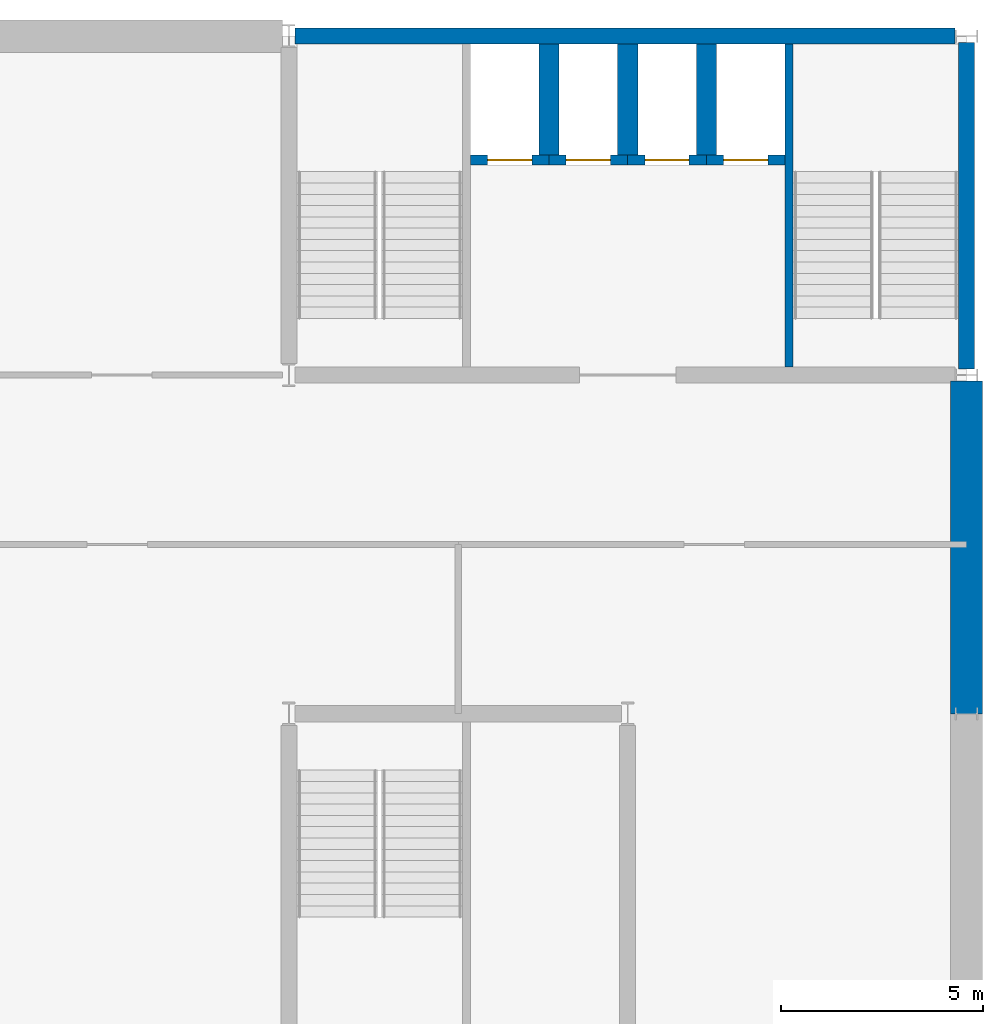
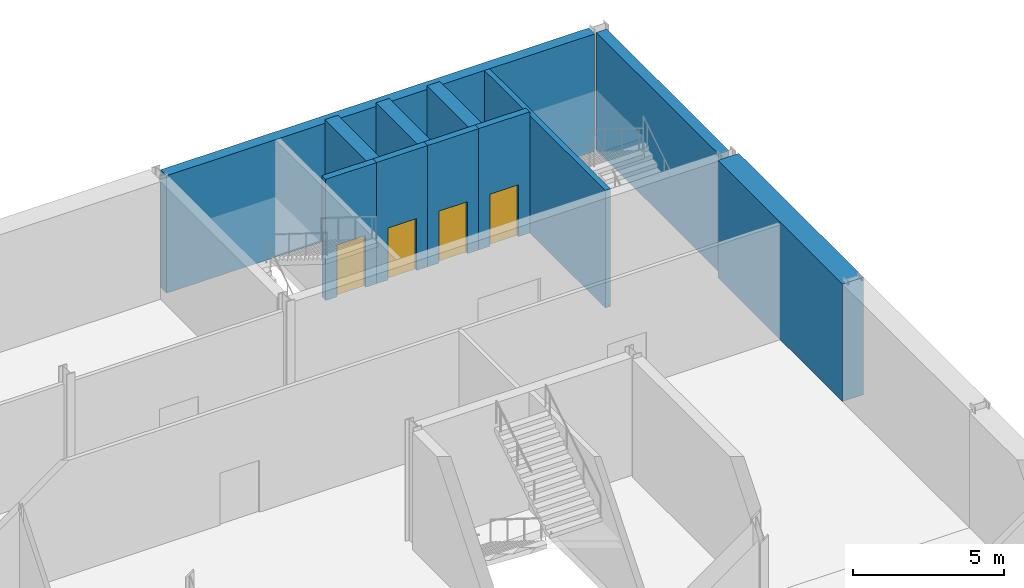
# One storey, part 17 of 20: 11 walls, 4 doors, 4 openings.
"""IFC4 building model written with IfcOpenShell, lengths in metres."""

import ifcopenshell
import ifcopenshell.guid

model = None  # the IFC model being written
_history = None  # IfcOwnerHistory: only IFC2X3 demands one
_inside = {}  # id of a spatial element -> (the spatial element, [elements in it])
_under = {}  # id of a project, library or spatial element -> (it, [spatial elements below it])
_declared = {}  # id of a project -> (the project, [libraries it declares])
_typed = {}  # id of a type object -> (the type object, [elements of that type])
_made_of = {}  # id of a material, layer set ... -> (it, [elements and type objects made of it])


def new_model(schema):
    """Start an empty IFC model of exactly this schema.

    Asked for "IFC4X3", IfcOpenShell would pick the latest addendum, in which some entities
    have other attributes; the version numbers below select the first issue.
    IFC2X3 requires an IfcOwnerHistory on every rooted entity: one is made here for all.
    """
    global model, _history
    if schema == "IFC4X3":
        model = ifcopenshell.file(schema_version=(4, 3, 0, 0))
    else:
        model = ifcopenshell.file(schema=schema)
    _inside.clear()
    _under.clear()
    _declared.clear()
    _typed.clear()
    _made_of.clear()
    _history = None
    if model.schema == "IFC2X3":
        org = make("IfcOrganization", Name="unknown")
        user = make(
            "IfcPersonAndOrganization",
            ThePerson=make("IfcPerson", FamilyName="unknown"),
            TheOrganization=org,
        )
        app = make(
            "IfcApplication",
            ApplicationDeveloper=org,
            Version="unknown",
            ApplicationFullName="unknown",
            ApplicationIdentifier="unknown",
        )
        _history = make(
            "IfcOwnerHistory",
            OwningUser=user,
            OwningApplication=app,
            ChangeAction="ADDED",
            CreationDate=0,
        )
    return model


def make(cls, **values):
    """One entity of the class cls with the attributes given. An attribute that is None is left unset."""
    return model.create_entity(
        cls, **{name: value for name, value in values.items() if value is not None}
    )


def rooted(cls, **values):
    """An entity with a GlobalId (a new one), such as an element, a storey or a relation."""
    return make(cls, GlobalId=ifcopenshell.guid.new(), OwnerHistory=_history, **values)


def si_unit(unit_type, name, prefix=None):
    """IfcSIUnit, for example si_unit("LENGTHUNIT", "METRE", prefix="MILLI")."""
    return make("IfcSIUnit", UnitType=unit_type, Prefix=prefix, Name=name)


def assignment(units):
    """IfcUnitAssignment: the units of a project."""
    return None if units is None else make("IfcUnitAssignment", Units=units)


def point(xyz):
    """IfcCartesianPoint."""
    return None if xyz is None else make("IfcCartesianPoint", Coordinates=xyz)


def direction(xyz):
    """IfcDirection."""
    return None if xyz is None else make("IfcDirection", DirectionRatios=xyz)


def frame(location, z_axis=None, x_axis=None):
    """IfcAxis2Placement3D, a coordinate frame: its origin and axes. An axis left out is left unset."""
    return make(
        "IfcAxis2Placement3D",
        Location=point(location),
        Axis=direction(z_axis),
        RefDirection=direction(x_axis),
    )


def frame_2d(location, x_axis=None):
    """IfcAxis2Placement2D, a coordinate frame in the plane: its origin and x axis."""
    return make(
        "IfcAxis2Placement2D", Location=point(location), RefDirection=direction(x_axis)
    )


def origin():
    """The frame at (0, 0, 0) with its axes left unset."""
    return frame((0.0, 0.0, 0.0))


def place(relative_to, where):
    """IfcLocalPlacement: puts the frame where relative to a parent placement (None: the world)."""
    return make(
        "IfcLocalPlacement", PlacementRelTo=relative_to, RelativePlacement=where
    )


def context(
    kind, dimensions, precision=None, world=None, true_north=None, identifier=None
):
    """IfcGeometricRepresentationContext, for example the 3D "Model" context."""
    return make(
        "IfcGeometricRepresentationContext",
        ContextIdentifier=identifier,
        ContextType=kind,
        CoordinateSpaceDimension=dimensions,
        Precision=precision,
        WorldCoordinateSystem=world,
        TrueNorth=true_north,
    )


def subcontext(parent, identifier, kind, view, scale=None):
    """IfcGeometricRepresentationSubContext, for example "Body" below "Model"."""
    return make(
        "IfcGeometricRepresentationSubContext",
        ContextIdentifier=identifier,
        ContextType=kind,
        ParentContext=parent,
        TargetScale=scale,
        TargetView=view,
    )


def project(units=None, contexts=None):
    """IfcProject with its units and contexts."""
    return rooted(
        "IfcProject",
        Name="project",
        RepresentationContexts=contexts,
        UnitsInContext=assignment(units),
    )


def spatial(cls, under=None, at=None, **own):
    """A site, building, storey or space (cls), placed at a placement, below another one or the project."""
    s = rooted(cls, ObjectPlacement=at, **own)
    if under is not None:
        _under.setdefault(under.id(), (under, []))[1].append(s)
    return s


def profile(cls, at=None, kind="AREA", **sizes):
    """A parametric profile (cls). Its sizes go by their IFC names, for example OverallWidth=200.0."""
    return make(cls, ProfileType=kind, Position=at, **sizes)


def rectangle(**sizes):
    """IfcRectangleProfileDef."""
    return profile("IfcRectangleProfileDef", **sizes)


def extrude(swept, where, along, depth):
    """IfcExtrudedAreaSolid: the profile swept, set in the frame where, extruded along a direction by depth."""
    return make(
        "IfcExtrudedAreaSolid",
        SweptArea=swept,
        Position=where,
        ExtrudedDirection=direction(along),
        Depth=depth,
    )


def shape(context_of_items, identifier, shape_type, items):
    """IfcShapeRepresentation: the items that make up one representation, for example the "Body"."""
    return make(
        "IfcShapeRepresentation",
        ContextOfItems=context_of_items,
        RepresentationIdentifier=identifier,
        RepresentationType=shape_type,
        Items=items,
    )


def material(Name=None, Category=None):
    """IfcMaterial."""
    return make("IfcMaterial", Name=Name, Category=Category)


def layer(
    of_material, thickness, ventilated=None, Name=None, Category=None, Priority=None
):
    """IfcMaterialLayer: one layer of a wall or slab, of a material (None: an air gap)."""
    return make(
        "IfcMaterialLayer",
        Material=of_material,
        LayerThickness=thickness,
        IsVentilated=ventilated,
        Name=Name,
        Category=Category,
        Priority=Priority,
    )


def layer_set(layers, Name=None):
    """IfcMaterialLayerSet."""
    return make("IfcMaterialLayerSet", MaterialLayers=layers, LayerSetName=Name)


def made_of(thing, what):
    """Note that an element or type object is made of a material, layer set ...; save() writes the relation."""
    if what is not None:
        _made_of.setdefault(what.id(), (what, []))[1].append(thing)
    return thing


def type_object(cls, material=None, **own):
    """A type object (cls), such as IfcWallType, which elements share."""
    return made_of(rooted(cls, **own), material)


def element(
    cls,
    number,
    at=None,
    inside=None,
    cuts=None,
    type_object=None,
    material=None,
    context=None,
    identifier="Body",
    shape_type=None,
    held_by="IfcProductDefinitionShape",
    body=None,
    shapes=None,
    **own,
):
    """One element of the class cls, such as IfcWall. Its Tag is "e" and its number.

    at: its placement. inside: the storey or other place that contains it. cuts: it is an
    opening in that element (IfcRelVoidsElement). A single representation is given by context,
    identifier, shape_type and body (its items); several are given by shapes. held_by: the class
    of the entity that holds the representations. save() writes the other relations.
    """
    e = rooted(cls, Tag="e%d" % number, ObjectPlacement=at, **own)
    if body is not None:
        shapes = [shape(context, identifier, shape_type, body)]
    if shapes is not None:
        e.Representation = make(held_by, Representations=shapes)
    if inside is not None:
        _inside.setdefault(inside.id(), (inside, []))[1].append(e)
    if cuts is not None:
        rooted(
            "IfcRelVoidsElement", RelatingBuildingElement=cuts, RelatedOpeningElement=e
        )
    if type_object is not None:
        _typed.setdefault(type_object.id(), (type_object, []))[1].append(e)
    return made_of(e, material)


def fill(opening, filler):
    """IfcRelFillsElement: the door or window that sits in an opening."""
    return rooted(
        "IfcRelFillsElement",
        RelatingOpeningElement=opening,
        RelatedBuildingElement=filler,
    )


def aggregate(whole, parts):
    """IfcRelAggregates: a whole, such as a stair, and the parts it consists of."""
    return rooted("IfcRelAggregates", RelatingObject=whole, RelatedObjects=parts)


def save(model, path):
    """Write the relations noted so far, then the file.

    IfcRelAggregates (storeys below a building ...), IfcRelContainedInSpatialStructure (elements
    in a storey), IfcRelDefinesByType, IfcRelAssociatesMaterial and IfcRelDeclares: one each for
    every whole, place, type object, material and project.
    """
    for whole, parts in _under.values():
        aggregate(whole, parts)
    for where, things in _inside.values():
        rooted(
            "IfcRelContainedInSpatialStructure",
            RelatedElements=things,
            RelatingStructure=where,
        )
    for kind, things in _typed.values():
        rooted("IfcRelDefinesByType", RelatedObjects=things, RelatingType=kind)
    for what, things in _made_of.values():
        rooted("IfcRelAssociatesMaterial", RelatedObjects=things, RelatingMaterial=what)
    for by, libraries in _declared.values():
        rooted("IfcRelDeclares", RelatingContext=by, RelatedDefinitions=libraries)
    model.write(path)


model = new_model("IFC4")

# Units and contexts
model_context = context("Model", 3, precision=1e-05, world=origin(), true_north=direction((0.0, 1.0)))
body_context = subcontext(model_context, "Body", "Model", "MODEL_VIEW")
ifc_project = project(units=[si_unit("LENGTHUNIT", "METRE"), si_unit("AREAUNIT", "SQUARE_METRE"), si_unit("VOLUMEUNIT", "CUBIC_METRE"), si_unit("PLANEANGLEUNIT", "RADIAN"), si_unit("MASSUNIT", "GRAM", prefix="KILO")], contexts=[model_context])

# Site, building, storey
site_placement = place(None, origin())
site = spatial("IfcSite", under=ifc_project, at=site_placement, CompositionType="ELEMENT")
building_placement = place(site_placement, origin())
building = spatial("IfcBuilding", under=site, at=building_placement, Name="Galleria Vessillo Department Store", CompositionType="ELEMENT")
storey_placement = place(building_placement, frame((0.0, 0.0, -4.89990234375)))
storey = spatial("IfcBuildingStorey", under=building, at=storey_placement, Name="B1", CompositionType="ELEMENT", Elevation=-4.89990234375)

# Walls
ifc_material_1 = material(Name="Concrete C32/40 reinforced", Category="concrete")
ifc_layer_1 = layer(ifc_material_1, 0.800048828125)
ifc_layer_set_1 = layer_set([ifc_layer_1], Name="Concrete C32/40 reinforced")
wall_type_1 = type_object("IfcWallType", Name="Diaphragm wall 800 mm", PredefinedType="SOLIDWALL", material=ifc_layer_set_1)
wall_1_placement = place(storey_placement, frame((117.60009765625, 46.199951171875, 0.0), z_axis=(0.0, 0.0, 1.0), x_axis=(0.0, 1.0, 0.0)))
element("IfcWall", 1, at=wall_1_placement, inside=storey, type_object=wall_type_1, Name="S-BW-E-B1-05", PredefinedType="SOLIDWALL", context=body_context, shape_type="SweptSolid", body=[
    extrude(rectangle(XDim=8.2470703125, YDim=0.800048828125, at=frame_2d((4.12353515625, 0.0))), origin(), (0.0, 0.0, 1.0), 4.75),
])
ifc_material_2 = material(Name="Solid clay block masonry", Category="masonry")
ifc_layer_2 = layer(ifc_material_2, 0.5)
ifc_layer_set_2 = layer_set([ifc_layer_2], Name="Solid clay block masonry")
wall_type_2 = type_object("IfcWallType", Name="Lift shaft partition wall 500 mm", PredefinedType="SOLIDWALL", material=ifc_layer_set_2)
for number, where, z_axis, x_axis, name in (
    (2, (107.25, 62.800048828125, 0.0), (0.0, 0.0, 1.0), (0.0, -1.0, 0.0), "Lift shaft partition wall T1 B1"),
    (3, (109.199951171875, 62.800048828125, 0.0), (0.0, 0.0, 1.0), (0.0, -1.0, 0.0), "Lift shaft partition wall T2 B1"),
    (4, (111.14990234375, 62.800048828125, 0.0), (0.0, 0.0, 1.0), (0.0, -1.0, 0.0), "Lift shaft partition wall T3 B1"),
):
    element("IfcWall", number, at=place(storey_placement, frame(where, z_axis=z_axis, x_axis=x_axis)), inside=storey, type_object=wall_type_2, Name=name, PredefinedType="SOLIDWALL", context=body_context, shape_type="SweptSolid", body=[
        extrude(rectangle(XDim=2.75, YDim=0.5, at=frame_2d((1.375, 0.0))), origin(), (0.0, 0.0, 1.0), 4.89990234375),
    ])

# Wall, opening, door
ifc_material_3 = material(Name="Solid clay block masonry", Category="masonry")
ifc_layer_3 = layer(ifc_material_3, 0.25)
ifc_layer_set_3 = layer_set([ifc_layer_3], Name="Solid clay block masonry")
wall_type_3 = type_object("IfcWallType", Name="Lift shaft wall 250 mm", PredefinedType="SOLIDWALL", material=ifc_layer_set_3)
wall_2_placement = place(storey_placement, frame((105.300048828125, 59.925048828125, 0.0), z_axis=(0.0, 0.0, 1.0), x_axis=(1.0, 0.0, 0.0)))
wall_2 = element("IfcWall", 5, at=wall_2_placement, inside=storey, type_object=wall_type_3, Name="Lift shaft wall T1 landing side B1", PredefinedType="SOLIDWALL", context=body_context, shape_type="SweptSolid", body=[
    extrude(rectangle(XDim=1.949951171875, YDim=0.25, at=frame_2d((0.97509765625, 0.0))), origin(), (0.0, 0.0, 1.0), 4.89990234375),
])
opening_1_placement = place(wall_2_placement, frame((0.4248046875, 0.0, 0.0)))
opening_1 = element("IfcOpeningElement", 6, at=opening_1_placement, cuts=wall_2, Name="Opening LD069", PredefinedType="OPENING", context=body_context, shape_type="SweptSolid", body=[
    extrude(rectangle(XDim=1.10009765625, YDim=2.10009765625, at=frame_2d((0.550048828125, 1.050048828125))), frame((0.0, 0.135009765625, 0.0), z_axis=(0.0, -1.0, 0.0), x_axis=(1.0, 0.0, 0.0)), (0.0, 0.0, 1.0), 0.27001953125),
])
ifc_material_4 = material(Name="Stainless steel lift door panel", Category="steel")
door_type = type_object("IfcDoorType", Name="Lift landing door LD110 sliding 1100 x 2100", OperationType="SLIDING_TO_LEFT", PredefinedType="DOOR", material=ifc_material_4)
door_1_placement = place(opening_1_placement, frame((1.10009765625, 0.0, 0.0), z_axis=(0.0, 0.0, 1.0), x_axis=(-1.0, 0.0, 0.0)))
door_1 = element("IfcDoor", 7, at=door_1_placement, inside=storey, type_object=door_type, Name="Lift landing door T1 B1", OperationType="SLIDING_TO_RIGHT", OverallHeight=2.10009765625, OverallWidth=1.10009765625, PredefinedType="DOOR", context=body_context, shape_type="SweptSolid", body=[
    extrude(rectangle(XDim=1.10009765625, YDim=2.10009765625, at=frame_2d((0.550048828125, 1.050048828125))), frame((0.0, 0.02490234375, 0.0), z_axis=(0.0, -1.0, 0.0), x_axis=(1.0, 0.0, 0.0)), (0.0, 0.0, 1.0), 0.050048828125),
])
fill(opening_1, door_1)

wall_3_placement = place(storey_placement, frame((107.25, 59.925048828125, 0.0), z_axis=(0.0, 0.0, 1.0), x_axis=(1.0, 0.0, 0.0)))
wall_3 = element("IfcWall", 8, at=wall_3_placement, inside=storey, type_object=wall_type_3, Name="Lift shaft wall T2 landing side B1", PredefinedType="SOLIDWALL", context=body_context, shape_type="SweptSolid", body=[
    extrude(rectangle(XDim=1.949951171875, YDim=0.25, at=frame_2d((0.97509765625, 0.0))), origin(), (0.0, 0.0, 1.0), 4.89990234375),
])
opening_2_placement = place(wall_3_placement, frame((0.425048828125, 0.0, 0.0)))
opening_2 = element("IfcOpeningElement", 9, at=opening_2_placement, cuts=wall_3, Name="Opening LD070", PredefinedType="OPENING", context=body_context, shape_type="SweptSolid", body=[
    extrude(rectangle(XDim=1.10009765625, YDim=2.10009765625, at=frame_2d((0.550048828125, 1.050048828125))), frame((0.0, 0.135009765625, 0.0), z_axis=(0.0, -1.0, 0.0), x_axis=(1.0, 0.0, 0.0)), (0.0, 0.0, 1.0), 0.27001953125),
])
door_2_placement = place(opening_2_placement, frame((1.10009765625, 0.0, 0.0), z_axis=(0.0, 0.0, 1.0), x_axis=(-1.0, 0.0, 0.0)))
door_2 = element("IfcDoor", 10, at=door_2_placement, inside=storey, type_object=door_type, Name="Lift landing door T2 B1", OperationType="SLIDING_TO_RIGHT", OverallHeight=2.10009765625, OverallWidth=1.10009765625, PredefinedType="DOOR", context=body_context, shape_type="SweptSolid", body=[
    extrude(rectangle(XDim=1.10009765625, YDim=2.10009765625, at=frame_2d((0.550048828125, 1.050048828125))), frame((0.0, 0.02490234375, 0.0), z_axis=(0.0, -1.0, 0.0), x_axis=(1.0, 0.0, 0.0)), (0.0, 0.0, 1.0), 0.050048828125),
])
fill(opening_2, door_2)

wall_4_placement = place(storey_placement, frame((109.199951171875, 59.925048828125, 0.0), z_axis=(0.0, 0.0, 1.0), x_axis=(1.0, 0.0, 0.0)))
wall_4 = element("IfcWall", 11, at=wall_4_placement, inside=storey, type_object=wall_type_3, Name="Lift shaft wall T3 landing side B1", PredefinedType="SOLIDWALL", context=body_context, shape_type="SweptSolid", body=[
    extrude(rectangle(XDim=1.949951171875, YDim=0.25, at=frame_2d((0.97509765625, 0.0))), origin(), (0.0, 0.0, 1.0), 4.89990234375),
])
opening_3_placement = place(wall_4_placement, frame((0.425048828125, 0.0, 0.0)))
opening_3 = element("IfcOpeningElement", 12, at=opening_3_placement, cuts=wall_4, Name="Opening LD071", PredefinedType="OPENING", context=body_context, shape_type="SweptSolid", body=[
    extrude(rectangle(XDim=1.10009765625, YDim=2.10009765625, at=frame_2d((0.550048828125, 1.050048828125))), frame((0.0, 0.135009765625, 0.0), z_axis=(0.0, -1.0, 0.0), x_axis=(1.0, 0.0, 0.0)), (0.0, 0.0, 1.0), 0.27001953125),
])
door_3_placement = place(opening_3_placement, frame((1.10009765625, 0.0, 0.0), z_axis=(0.0, 0.0, 1.0), x_axis=(-1.0, 0.0, 0.0)))
door_3 = element("IfcDoor", 13, at=door_3_placement, inside=storey, type_object=door_type, Name="Lift landing door T3 B1", OperationType="SLIDING_TO_RIGHT", OverallHeight=2.10009765625, OverallWidth=1.10009765625, PredefinedType="DOOR", context=body_context, shape_type="SweptSolid", body=[
    extrude(rectangle(XDim=1.10009765625, YDim=2.10009765625, at=frame_2d((0.550048828125, 1.050048828125))), frame((0.0, 0.02490234375, 0.0), z_axis=(0.0, -1.0, 0.0), x_axis=(1.0, 0.0, 0.0)), (0.0, 0.0, 1.0), 0.050048828125),
])
fill(opening_3, door_3)

wall_5_placement = place(storey_placement, frame((111.14990234375, 59.925048828125, 0.0), z_axis=(0.0, 0.0, 1.0), x_axis=(1.0, 0.0, 0.0)))
wall_5 = element("IfcWall", 14, at=wall_5_placement, inside=storey, type_object=wall_type_3, Name="Lift shaft wall T4 landing side B1", PredefinedType="SOLIDWALL", context=body_context, shape_type="SweptSolid", body=[
    extrude(rectangle(XDim=1.9501953125, YDim=0.25, at=frame_2d((0.97509765625, 0.0))), origin(), (0.0, 0.0, 1.0), 4.89990234375),
])
opening_4_placement = place(wall_5_placement, frame((0.425048828125, 0.0, 0.0)))
opening_4 = element("IfcOpeningElement", 15, at=opening_4_placement, cuts=wall_5, Name="Opening LD072", PredefinedType="OPENING", context=body_context, shape_type="SweptSolid", body=[
    extrude(rectangle(XDim=1.10009765625, YDim=2.10009765625, at=frame_2d((0.550048828125, 1.050048828125))), frame((0.0, 0.135009765625, 0.0), z_axis=(0.0, -1.0, 0.0), x_axis=(1.0, 0.0, 0.0)), (0.0, 0.0, 1.0), 0.27001953125),
])
door_4_placement = place(opening_4_placement, frame((1.10009765625, 0.0, 0.0), z_axis=(0.0, 0.0, 1.0), x_axis=(-1.0, 0.0, 0.0)))
door_4 = element("IfcDoor", 16, at=door_4_placement, inside=storey, type_object=door_type, Name="Lift landing door T4 B1", OperationType="SLIDING_TO_LEFT", OverallHeight=2.10009765625, OverallWidth=1.10009765625, PredefinedType="DOOR", context=body_context, shape_type="SweptSolid", body=[
    extrude(rectangle(XDim=1.10009765625, YDim=2.10009765625, at=frame_2d((0.550048828125, 1.050048828125))), frame((0.0, 0.02490234375, 0.0), z_axis=(0.0, -1.0, 0.0), x_axis=(1.0, 0.0, 0.0)), (0.0, 0.0, 1.0), 0.050048828125),
])
fill(opening_4, door_4)

# Walls
ifc_material_5 = material(Name="Concrete C32/40 reinforced", Category="concrete")
ifc_layer_4 = layer(ifc_material_5, 0.39990234375)
ifc_layer_set_4 = layer_set([ifc_layer_4], Name="Concrete C32/40 reinforced")
wall_type_4 = type_object("IfcWallType", Name="Reinforced concrete core wall 400 mm, external", PredefinedType="SHEAR", material=ifc_layer_set_4)
wall_6_placement = place(storey_placement, frame((100.953125, 63.0, 0.0), z_axis=(0.0, 0.0, 1.0), x_axis=(1.0, 0.0, 0.0)))
element("IfcWall", 17, at=wall_6_placement, inside=storey, type_object=wall_type_4, Name="S-CW-TC-PARTY-B1", PredefinedType="SHEAR", context=body_context, shape_type="SweptSolid", body=[
    extrude(rectangle(XDim=16.361083984375, YDim=0.39990234375, at=frame_2d((8.1806640625, 0.0))), origin(), (0.0, 0.0, 1.0), 4.75),
])
wall_7_placement = place(storey_placement, frame((117.60009765625, 54.753173828125, 0.0), z_axis=(0.0, 0.0, 1.0), x_axis=(0.0, 1.0, 0.0)))
element("IfcWall", 18, at=wall_7_placement, inside=storey, type_object=wall_type_4, Name="S-CW-TC-EAST-B1", PredefinedType="SHEAR", context=body_context, shape_type="SweptSolid", body=[
    extrude(rectangle(XDim=8.09375, YDim=0.39990234375, at=frame_2d((4.046875, 0.0))), origin(), (0.0, 0.0, 1.0), 4.75),
])
ifc_material_6 = material(Name="Concrete C32/40 reinforced", Category="concrete")
ifc_layer_5 = layer(ifc_material_6, 0.199951171875)
ifc_layer_set_5 = layer_set([ifc_layer_5], Name="Concrete C32/40 reinforced")
wall_type_5 = type_object("IfcWallType", Name="Reinforced concrete stair enclosure wall 200 mm", PredefinedType="SHEAR", material=ifc_layer_set_5)
wall_8_placement = place(storey_placement, frame((113.199951171875, 62.800048828125, 0.0), z_axis=(0.0, 0.0, 1.0), x_axis=(0.0, -1.0, 0.0)))
element("IfcWall", 19, at=wall_8_placement, inside=storey, type_object=wall_type_5, Name="Stair enclosure wall TC B1", PredefinedType="SHEAR", context=body_context, shape_type="SweptSolid", body=[
    extrude(rectangle(XDim=8.0, YDim=0.199951171875, at=frame_2d((4.0, 0.0))), origin(), (0.0, 0.0, 1.0), 4.75),
])

save(model, "model.ifc")
